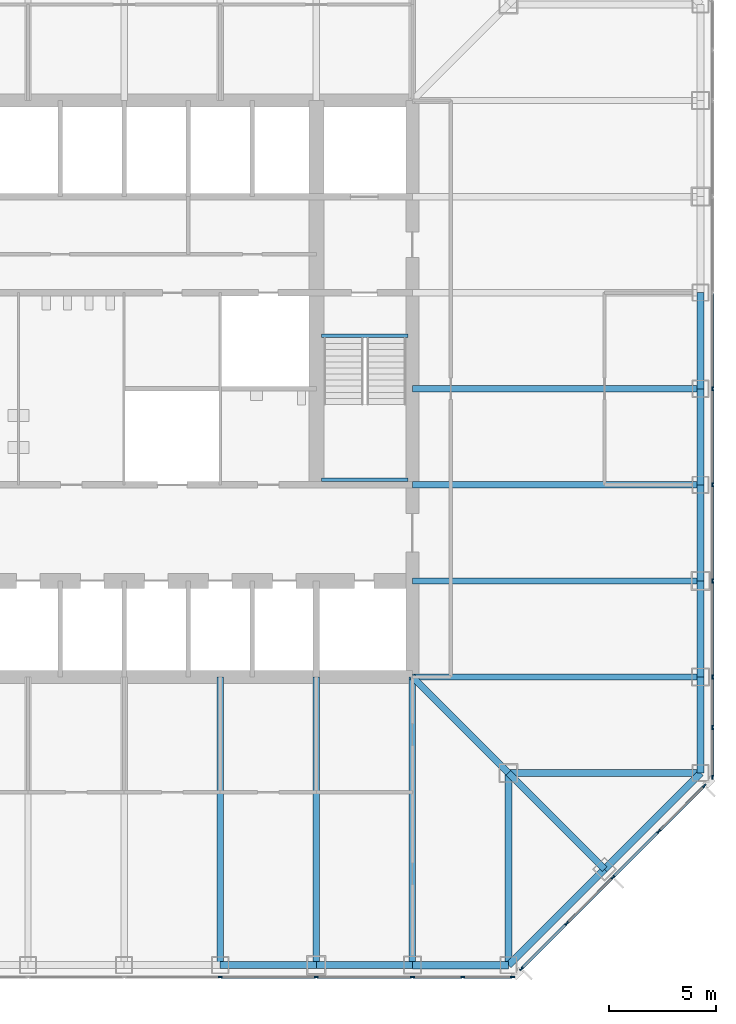
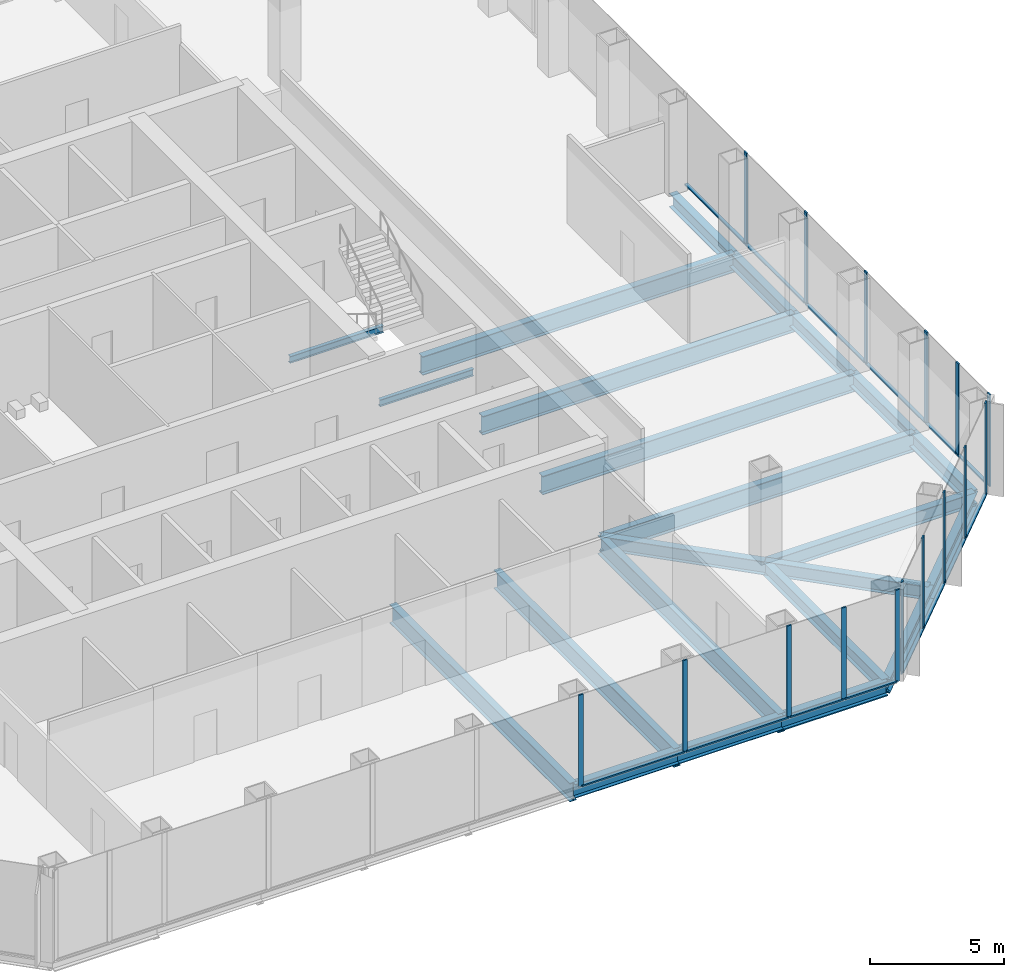
# One storey, part 4 of 12: 30 members, 23 beams, 3 elements without a shape of their own.
"""IFC4 building model written with IfcOpenShell, lengths in metres."""

from ifc_helpers import new_model, si_unit, direction, frame, origin, origin_2d, place, context, subcontext, project, spatial, rectangle, i_section, extrude, material, material_profile, profile_set, type_object, element, aggregate, save


model = new_model("IFC4")

# Units and contexts
model_context = context("Model", 3, precision=1e-05, world=origin(), true_north=direction((0.0, 1.0)))
body_context = subcontext(model_context, "Body", "Model", "MODEL_VIEW")
ifc_project = project(units=[si_unit("LENGTHUNIT", "METRE"), si_unit("AREAUNIT", "SQUARE_METRE"), si_unit("VOLUMEUNIT", "CUBIC_METRE"), si_unit("PLANEANGLEUNIT", "RADIAN"), si_unit("MASSUNIT", "GRAM", prefix="KILO")], contexts=[model_context])

# Site, building, storey
site_placement = place(None, origin())
site = spatial("IfcSite", under=ifc_project, at=site_placement, CompositionType="ELEMENT")
building_placement = place(site_placement, origin())
building = spatial("IfcBuilding", under=site, at=building_placement, Name="Corais Broadcast Tower", CompositionType="ELEMENT")
storey_placement = place(building_placement, frame((0.0, 0.0, 54.199951171875)))
storey = spatial("IfcBuildingStorey", under=building, at=storey_placement, Name="L11", CompositionType="ELEMENT", Elevation=54.199951171875)

# Beams
ifc_material_1 = material(Name="Steel ASTM A572 Grade 50", Category="steel")
ifc_material_profile_1 = material_profile(ifc_material_1, i_section(OverallWidth=0.323974609375, OverallDepth=0.611083984375, WebThickness=0.0126953125, FlangeThickness=0.01904296875, at=origin_2d()), Name="W610x155")
ifc_profile_set_1 = profile_set([ifc_material_profile_1], Name="Steel ASTM A572 Grade 50")
beam_type_1 = type_object("IfcBeamType", Name="Chamfer tie W610x155", PredefinedType="BEAM", material=ifc_profile_set_1)
beam_1_placement = place(storey_placement, frame((49.5, 4.5, -0.46533203125), z_axis=(-0.707106781187, 0.707106781187, 0.0), x_axis=(-0.707106781187, -0.707106781187, 0.0)))
element("IfcBeam", 1, at=beam_1_placement, inside=storey, type_object=beam_type_1, Name="B5 B/14 to C/13", PredefinedType="BEAM", context=body_context, shape_type="SweptSolid", body=[
    extrude(i_section(OverallWidth=0.323974609375, OverallDepth=0.611083984375, WebThickness=0.0126953125, FlangeThickness=0.01904296875, at=origin_2d()), origin(), (0.0, 0.0, 1.0), 6.364013671875),
])
ifc_material_2 = material(Name="Steel ASTM A572 Grade 50", Category="steel")
ifc_material_profile_2 = material_profile(ifc_material_2, i_section(OverallWidth=0.323974609375, OverallDepth=0.611083984375, WebThickness=0.0126953125, FlangeThickness=0.01904296875, at=origin_2d()), Name="W610x155")
ifc_profile_set_2 = profile_set([ifc_material_profile_2], Name="Steel ASTM A572 Grade 50")
beam_type_2 = type_object("IfcBeamType", Name="Corner diagonal W610x155", PredefinedType="BEAM", material=ifc_profile_set_2)
beam_2_placement = place(storey_placement, frame((45.0, 9.0, -0.46533203125), z_axis=(-0.707106781187, 0.707106781187, 0.0), x_axis=(-0.707106781187, -0.707106781187, 0.0)))
element("IfcBeam", 2, at=beam_2_placement, inside=storey, type_object=beam_type_2, Name="B6 C/13 to D/12", PredefinedType="BEAM", context=body_context, shape_type="SweptSolid", body=[
    extrude(i_section(OverallWidth=0.323974609375, OverallDepth=0.611083984375, WebThickness=0.0126953125, FlangeThickness=0.01904296875, at=origin_2d()), origin(), (0.0, 0.0, 1.0), 6.364013671875),
])
ifc_material_3 = material(Name="Steel ASTM A572 Grade 50", Category="steel")
ifc_material_profile_3 = material_profile(ifc_material_3, i_section(OverallWidth=0.323974609375, OverallDepth=0.611083984375, WebThickness=0.0126953125, FlangeThickness=0.01904296875, at=origin_2d()), Name="W610x155")
ifc_profile_set_3 = profile_set([ifc_material_profile_3], Name="Steel ASTM A572 Grade 50")
beam_type_3 = type_object("IfcBeamType", Name="Corner girder W610x155", PredefinedType="BEAM", material=ifc_profile_set_3)
for number, where, z_axis, x_axis, name in (
    (3, (45.0, 0.0, -0.46533203125), (0.0, 1.0, 0.0), (-1.0, 0.0, 0.0), "B4 A/13 to C/13"),
    (4, (54.0, 9.0, -0.46533203125), (-1.0, 0.0, 0.0), (0.0, -1.0, 0.0), "B4 C/15 to C/13"),
):
    element("IfcBeam", number, at=place(storey_placement, frame(where, z_axis=z_axis, x_axis=x_axis)), inside=storey, type_object=beam_type_3, Name=name, PredefinedType="BEAM", context=body_context, shape_type="SweptSolid", body=[
        extrude(i_section(OverallWidth=0.323974609375, OverallDepth=0.611083984375, WebThickness=0.0126953125, FlangeThickness=0.01904296875, at=origin_2d()), origin(), (0.0, 0.0, 1.0), 9.0),
    ])
ifc_material_4 = material(Name="Steel ASTM A572 Grade 50", Category="steel")
ifc_material_profile_4 = material_profile(ifc_material_4, i_section(OverallWidth=0.337890625, OverallDepth=0.677978515625, WebThickness=0.029541015625, FlangeThickness=0.052978515625, at=origin_2d()), Name="W610x415")
ifc_profile_set_4 = profile_set([ifc_material_profile_4], Name="Steel ASTM A572 Grade 50")
beam_type_4 = type_object("IfcBeamType", Name="Corner spandrel W610x415", PredefinedType="BEAM", material=ifc_profile_set_4)
for number, where, z_axis, x_axis, name in (
    (5, (40.5, 0.0, -0.4990234375), (1.0, 0.0, 0.0), (0.0, 1.0, 0.0), "SB10 A/12 to A/13"),
    (6, (54.0, 9.0, -0.4990234375), (0.0, 1.0, 0.0), (-1.0, 0.0, 0.0), "SB10 C/15 to D/15"),
):
    element("IfcBeam", number, at=place(storey_placement, frame(where, z_axis=z_axis, x_axis=x_axis)), inside=storey, type_object=beam_type_4, Name=name, PredefinedType="BEAM", context=body_context, shape_type="SweptSolid", body=[
        extrude(i_section(OverallWidth=0.337890625, OverallDepth=0.677978515625, WebThickness=0.029541015625, FlangeThickness=0.052978515625, at=origin_2d()), origin(), (0.0, 0.0, 1.0), 4.5),
    ])
ifc_material_5 = material(Name="Steel ASTM A572 Grade 50", Category="steel")
ifc_material_profile_5 = material_profile(ifc_material_5, i_section(OverallWidth=0.2939453125, OverallDepth=0.85107421875, WebThickness=0.01611328125, FlangeThickness=0.02685546875, at=origin_2d()), Name="W840x226")
ifc_profile_set_5 = profile_set([ifc_material_profile_5], Name="Steel ASTM A572 Grade 50")
beam_type_5 = type_object("IfcBeamType", Name="Floor beam W840x226", PredefinedType="BEAM", material=ifc_profile_set_5)
for number, where, z_axis, x_axis, name in (
    (7, (31.5, 0.0, -0.58544921875), (0.0, 1.0, 0.0), (-1.0, 0.0, 0.0), "B1 A/10 to D/10"),
    (8, (36.0, 0.0, -0.58544921875), (0.0, 1.0, 0.0), (-1.0, 0.0, 0.0), "B1 A/11 to D/11"),
    (9, (40.5, 0.0, -0.58544921875), (0.0, 1.0, 0.0), (-1.0, 0.0, 0.0), "B1 A/12 to D/12"),
    (10, (54.0, 13.5, -0.58544921875), (-1.0, 0.0, 0.0), (0.0, -1.0, 0.0), "B1 D/15 to D/12"),
    (11, (54.0, 18.0, -0.58544921875), (-1.0, 0.0, 0.0), (0.0, -1.0, 0.0), "B1 E/15 to E/12"),
    (12, (54.0, 22.5, -0.58544921875), (-1.0, 0.0, 0.0), (0.0, -1.0, 0.0), "B1 F/15 to F/12"),
    (13, (54.0, 27.0, -0.58544921875), (-1.0, 0.0, 0.0), (0.0, -1.0, 0.0), "B1 G/15 to G/12"),
):
    element("IfcBeam", number, at=place(storey_placement, frame(where, z_axis=z_axis, x_axis=x_axis)), inside=storey, type_object=beam_type_5, Name=name, PredefinedType="BEAM", context=body_context, shape_type="SweptSolid", body=[
        extrude(i_section(OverallWidth=0.2939453125, OverallDepth=0.85107421875, WebThickness=0.01611328125, FlangeThickness=0.02685546875, at=origin_2d()), origin(), (0.0, 0.0, 1.0), 13.5),
    ])
ifc_material_6 = material(Name="Steel ASTM A572 Grade 50", Category="steel")
ifc_material_profile_6 = material_profile(ifc_material_6, i_section(OverallWidth=0.1650390625, OverallDepth=0.31005859375, WebThickness=0.005859375, FlangeThickness=0.009765625, at=origin_2d()), Name="W310x38.7")
ifc_profile_set_6 = profile_set([ifc_material_profile_6], Name="Steel ASTM A572 Grade 50")
beam_type_6 = type_object("IfcBeamType", Name="Landing trimmer W310x38.7", PredefinedType="BEAM", material=ifc_profile_set_6)
for number, where, z_axis, x_axis, name in (
    (14, (36.25, 29.47509765625, -0.35498046875), (1.0, 0.0, 0.0), (0.0, 1.0, 0.0), "LT1 stair B landing trimmer L11"),
    (15, (36.25, 22.739990234375, 1.7451171875), (1.0, 0.0, 0.0), (0.0, 1.0, 0.0), "LT1 stair B half landing trimmer L11"),
):
    element("IfcBeam", number, at=place(storey_placement, frame(where, z_axis=z_axis, x_axis=x_axis)), inside=storey, type_object=beam_type_6, Name=name, PredefinedType="BEAM", context=body_context, shape_type="SweptSolid", body=[
        extrude(i_section(OverallWidth=0.1650390625, OverallDepth=0.31005859375, WebThickness=0.005859375, FlangeThickness=0.009765625, at=origin_2d()), origin(), (0.0, 0.0, 1.0), 4.050048828125),
    ])

# Curtain wall, members
ifc_material_7 = material(Name="Aluminium and glass", Category="aluminium")
curtain_wall_type = type_object("IfcCurtainWallType", Name="Unitised fritted curtain wall CW1", PredefinedType="NOTDEFINED", material=ifc_material_7)
curtain_wall_1_placement = place(storey_placement, origin())
curtain_wall_1 = element("IfcCurtainWall", 16, at=curtain_wall_1_placement, inside=storey, type_object=curtain_wall_type, Name="CW1 curtain wall L11 6", PredefinedType="NOTDEFINED")
ifc_material_8 = material(Name="Aluminium 6063-T6", Category="aluminium")
ifc_material_profile_7 = material_profile(ifc_material_8, rectangle(XDim=0.06494140625, YDim=0.199951171875, at=origin_2d()), Name="Mullion CW1 65x200")
ifc_profile_set_7 = profile_set([ifc_material_profile_7], Name="Aluminium 6063-T6")
member_type_1 = type_object("IfcMemberType", Name="Mullion CW1 65x200", PredefinedType="MULLION", material=ifc_profile_set_7)
member_1_placement = place(storey_placement, frame((54.550048828125, 27.0, 0.0), z_axis=(0.0, 0.0, 1.0), x_axis=(1.0, 0.0, 0.0)))
member_1 = element("IfcMember", 17, at=member_1_placement, type_object=member_type_1, Name="CW1 mullion 6", PredefinedType="MULLION", context=body_context, shape_type="SweptSolid", body=[
    extrude(rectangle(XDim=0.06494140625, YDim=0.199951171875, at=origin_2d()), origin(), (0.0, 0.0, 1.0), 4.199951171875),
])
member_2_placement = place(storey_placement, frame((54.550048828125, 22.5, 0.0), z_axis=(0.0, 0.0, 1.0), x_axis=(1.0, 0.0, 0.0)))
member_2 = element("IfcMember", 18, at=member_2_placement, type_object=member_type_1, Name="CW1 mullion 7", PredefinedType="MULLION", context=body_context, shape_type="SweptSolid", body=[
    extrude(rectangle(XDim=0.06494140625, YDim=0.199951171875, at=origin_2d()), origin(), (0.0, 0.0, 1.0), 4.199951171875),
])
member_3_placement = place(storey_placement, frame((54.550048828125, 18.0, 0.0), z_axis=(0.0, 0.0, 1.0), x_axis=(1.0, 0.0, 0.0)))
member_3 = element("IfcMember", 19, at=member_3_placement, type_object=member_type_1, Name="CW1 mullion 8", PredefinedType="MULLION", context=body_context, shape_type="SweptSolid", body=[
    extrude(rectangle(XDim=0.06494140625, YDim=0.199951171875, at=origin_2d()), origin(), (0.0, 0.0, 1.0), 4.199951171875),
])
member_4_placement = place(storey_placement, frame((54.550048828125, 13.5, 0.0), z_axis=(0.0, 0.0, 1.0), x_axis=(1.0, 0.0, 0.0)))
member_4 = element("IfcMember", 20, at=member_4_placement, type_object=member_type_1, Name="CW1 mullion 9", PredefinedType="MULLION", context=body_context, shape_type="SweptSolid", body=[
    extrude(rectangle(XDim=0.06494140625, YDim=0.199951171875, at=origin_2d()), origin(), (0.0, 0.0, 1.0), 4.199951171875),
])
member_5_placement = place(storey_placement, frame((54.550048828125, 11.135986328125, 0.0), z_axis=(0.0, 0.0, 1.0), x_axis=(1.0, 0.0, 0.0)))
member_5 = element("IfcMember", 21, at=member_5_placement, type_object=member_type_1, Name="CW1 mullion 10", PredefinedType="MULLION", context=body_context, shape_type="SweptSolid", body=[
    extrude(rectangle(XDim=0.06494140625, YDim=0.199951171875, at=origin_2d()), origin(), (0.0, 0.0, 1.0), 4.199951171875),
])
member_6_placement = place(storey_placement, frame((54.550048828125, 8.8046875, 0.0), z_axis=(0.0, 0.0, 1.0), x_axis=(1.0, 0.0, 0.0)))
member_6 = element("IfcMember", 22, at=member_6_placement, type_object=member_type_1, Name="CW1 mullion 11", PredefinedType="MULLION", context=body_context, shape_type="SweptSolid", body=[
    extrude(rectangle(XDim=0.06494140625, YDim=0.199951171875, at=origin_2d()), origin(), (0.0, 0.0, 1.0), 4.199951171875),
])

curtain_wall_2_placement = place(storey_placement, origin())
curtain_wall_2 = element("IfcCurtainWall", 23, at=curtain_wall_2_placement, inside=storey, type_object=curtain_wall_type, Name="CW1 curtain wall L11 7", PredefinedType="NOTDEFINED")
member_7_placement = place(storey_placement, frame((54.17333984375, 8.3955078125, 0.0), z_axis=(0.0, 0.0, 1.0), x_axis=(0.707106781187, -0.707106781187, 0.0)))
member_7 = element("IfcMember", 24, at=member_7_placement, type_object=member_type_1, Name="CW1 mullion 1", PredefinedType="MULLION", context=body_context, shape_type="SweptSolid", body=[
    extrude(rectangle(XDim=0.06494140625, YDim=0.199951171875, at=origin_2d()), origin(), (0.0, 0.0, 1.0), 4.199951171875),
])
member_8_placement = place(storey_placement, frame((52.042724609375, 6.264892578125, 0.0), z_axis=(0.0, 0.0, 1.0), x_axis=(0.707106781187, -0.707106781187, 0.0)))
member_8 = element("IfcMember", 25, at=member_8_placement, type_object=member_type_1, Name="CW1 mullion 2", PredefinedType="MULLION", context=body_context, shape_type="SweptSolid", body=[
    extrude(rectangle(XDim=0.06494140625, YDim=0.199951171875, at=origin_2d()), origin(), (0.0, 0.0, 1.0), 4.199951171875),
])
member_9_placement = place(storey_placement, frame((49.888916015625, 4.111083984375, 0.0), z_axis=(0.0, 0.0, 1.0), x_axis=(0.707106781187, -0.707106781187, 0.0)))
member_9 = element("IfcMember", 26, at=member_9_placement, type_object=member_type_1, Name="CW1 mullion 3", PredefinedType="MULLION", context=body_context, shape_type="SweptSolid", body=[
    extrude(rectangle(XDim=0.06494140625, YDim=0.199951171875, at=origin_2d()), origin(), (0.0, 0.0, 1.0), 4.199951171875),
])
member_10_placement = place(storey_placement, frame((47.735107421875, 1.957275390625, 0.0), z_axis=(0.0, 0.0, 1.0), x_axis=(0.707106781187, -0.707106781187, 0.0)))
member_10 = element("IfcMember", 27, at=member_10_placement, type_object=member_type_1, Name="CW1 mullion 4", PredefinedType="MULLION", context=body_context, shape_type="SweptSolid", body=[
    extrude(rectangle(XDim=0.06494140625, YDim=0.199951171875, at=origin_2d()), origin(), (0.0, 0.0, 1.0), 4.199951171875),
])
member_11_placement = place(storey_placement, frame((45.6044921875, -0.17333984375, 0.0), z_axis=(0.0, 0.0, 1.0), x_axis=(0.707106781187, -0.707106781187, 0.0)))
member_11 = element("IfcMember", 28, at=member_11_placement, type_object=member_type_1, Name="CW1 mullion 5", PredefinedType="MULLION", context=body_context, shape_type="SweptSolid", body=[
    extrude(rectangle(XDim=0.06494140625, YDim=0.199951171875, at=origin_2d()), origin(), (0.0, 0.0, 1.0), 4.199951171875),
])

curtain_wall_3_placement = place(storey_placement, origin())
curtain_wall_3 = element("IfcCurtainWall", 29, at=curtain_wall_3_placement, inside=storey, type_object=curtain_wall_type, Name="CW1 curtain wall L11 8", PredefinedType="NOTDEFINED")
member_12_placement = place(storey_placement, frame((45.1953125, -0.550048828125, 0.0), z_axis=(0.0, 0.0, 1.0), x_axis=(0.0, -1.0, 0.0)))
member_12 = element("IfcMember", 30, at=member_12_placement, type_object=member_type_1, Name="CW1 mullion 1", PredefinedType="MULLION", context=body_context, shape_type="SweptSolid", body=[
    extrude(rectangle(XDim=0.06494140625, YDim=0.199951171875, at=origin_2d()), origin(), (0.0, 0.0, 1.0), 4.199951171875),
])
member_13_placement = place(storey_placement, frame((42.864013671875, -0.550048828125, 0.0), z_axis=(0.0, 0.0, 1.0), x_axis=(0.0, -1.0, 0.0)))
member_13 = element("IfcMember", 31, at=member_13_placement, type_object=member_type_1, Name="CW1 mullion 2", PredefinedType="MULLION", context=body_context, shape_type="SweptSolid", body=[
    extrude(rectangle(XDim=0.06494140625, YDim=0.199951171875, at=origin_2d()), origin(), (0.0, 0.0, 1.0), 4.199951171875),
])
member_14_placement = place(storey_placement, frame((40.5, -0.550048828125, 0.0), z_axis=(0.0, 0.0, 1.0), x_axis=(0.0, -1.0, 0.0)))
member_14 = element("IfcMember", 32, at=member_14_placement, type_object=member_type_1, Name="CW1 mullion 3", PredefinedType="MULLION", context=body_context, shape_type="SweptSolid", body=[
    extrude(rectangle(XDim=0.06494140625, YDim=0.199951171875, at=origin_2d()), origin(), (0.0, 0.0, 1.0), 4.199951171875),
])
member_15_placement = place(storey_placement, frame((36.0, -0.550048828125, 0.0), z_axis=(0.0, 0.0, 1.0), x_axis=(0.0, -1.0, 0.0)))
member_15 = element("IfcMember", 33, at=member_15_placement, type_object=member_type_1, Name="CW1 mullion 4", PredefinedType="MULLION", context=body_context, shape_type="SweptSolid", body=[
    extrude(rectangle(XDim=0.06494140625, YDim=0.199951171875, at=origin_2d()), origin(), (0.0, 0.0, 1.0), 4.199951171875),
])
member_16_placement = place(storey_placement, frame((31.5, -0.550048828125, 0.0), z_axis=(0.0, 0.0, 1.0), x_axis=(0.0, -1.0, 0.0)))
member_16 = element("IfcMember", 34, at=member_16_placement, type_object=member_type_1, Name="CW1 mullion 5", PredefinedType="MULLION", context=body_context, shape_type="SweptSolid", body=[
    extrude(rectangle(XDim=0.06494140625, YDim=0.199951171875, at=origin_2d()), origin(), (0.0, 0.0, 1.0), 4.199951171875),
])

# Beams
ifc_material_9 = material(Name="Steel ASTM A572 Grade 50", Category="steel")
ifc_material_profile_8 = material_profile(ifc_material_9, i_section(OverallWidth=0.3291015625, OverallDepth=0.635009765625, WebThickness=0.017822265625, FlangeThickness=0.031005859375, at=origin_2d()), Name="W610x241")
ifc_profile_set_8 = profile_set([ifc_material_profile_8], Name="Steel ASTM A572 Grade 50")
beam_type_7 = type_object("IfcBeamType", Name="Spandrel W610x241", PredefinedType="BEAM", material=ifc_profile_set_8)
for number, where, z_axis, x_axis, name in (
    (35, (31.5, 0.0, -0.4775390625), (1.0, 0.0, 0.0), (0.0, 1.0, 0.0), "SB1 A/10 to A/11"),
    (36, (36.0, 0.0, -0.4775390625), (1.0, 0.0, 0.0), (0.0, 1.0, 0.0), "SB1 A/11 to A/12"),
):
    element("IfcBeam", number, at=place(storey_placement, frame(where, z_axis=z_axis, x_axis=x_axis)), inside=storey, type_object=beam_type_7, Name=name, PredefinedType="BEAM", context=body_context, shape_type="SweptSolid", body=[
        extrude(i_section(OverallWidth=0.3291015625, OverallDepth=0.635009765625, WebThickness=0.017822265625, FlangeThickness=0.031005859375, at=origin_2d()), origin(), (0.0, 0.0, 1.0), 4.5),
    ])
for number, where, z_axis, x_axis, name in (
    (37, (45.0, 0.0, -0.4775390625), (0.707106781187, 0.707106781187, 0.0), (-0.707106781187, 0.707106781187, 0.0), "SB1 A/13 to B/14"),
    (38, (49.5, 4.5, -0.4775390625), (0.707106781187, 0.707106781187, 0.0), (-0.707106781187, 0.707106781187, 0.0), "SB1 B/14 to C/15"),
):
    element("IfcBeam", number, at=place(storey_placement, frame(where, z_axis=z_axis, x_axis=x_axis)), inside=storey, type_object=beam_type_7, Name=name, PredefinedType="BEAM", context=body_context, shape_type="SweptSolid", body=[
        extrude(i_section(OverallWidth=0.3291015625, OverallDepth=0.635009765625, WebThickness=0.017822265625, FlangeThickness=0.031005859375, at=origin_2d()), origin(), (0.0, 0.0, 1.0), 6.364013671875),
    ])
for number, where, z_axis, x_axis, name in (
    (39, (54.0, 13.5, -0.4775390625), (0.0, 1.0, 0.0), (-1.0, 0.0, 0.0), "SB1 D/15 to E/15"),
    (40, (54.0, 18.0, -0.4775390625), (0.0, 1.0, 0.0), (-1.0, 0.0, 0.0), "SB1 E/15 to F/15"),
    (41, (54.0, 22.5, -0.4775390625), (0.0, 1.0, 0.0), (-1.0, 0.0, 0.0), "SB1 F/15 to G/15"),
    (42, (54.0, 27.0, -0.4775390625), (0.0, 1.0, 0.0), (-1.0, 0.0, 0.0), "SB1 G/15 to H/15"),
):
    element("IfcBeam", number, at=place(storey_placement, frame(where, z_axis=z_axis, x_axis=x_axis)), inside=storey, type_object=beam_type_7, Name=name, PredefinedType="BEAM", context=body_context, shape_type="SweptSolid", body=[
        extrude(i_section(OverallWidth=0.3291015625, OverallDepth=0.635009765625, WebThickness=0.017822265625, FlangeThickness=0.031005859375, at=origin_2d()), origin(), (0.0, 0.0, 1.0), 4.5),
    ])

# Member
ifc_material_10 = material(Name="Aluminium 6063-T6", Category="aluminium")
ifc_material_profile_9 = material_profile(ifc_material_10, rectangle(XDim=0.139892578125, YDim=0.06494140625, at=origin_2d()), Name="Transom CW1 65x140")
ifc_profile_set_9 = profile_set([ifc_material_profile_9], Name="Aluminium 6063-T6")
member_type_2 = type_object("IfcMemberType", Name="Transom CW1 65x140", PredefinedType="USERDEFINED", material=ifc_profile_set_9)
member_17_placement = place(storey_placement, frame((54.550048828125, 31.467529296875, 0.032470703125), z_axis=(0.0, -1.0, 0.0), x_axis=(1.0, 0.0, 0.0)))
member_17 = element("IfcMember", 43, at=member_17_placement, type_object=member_type_2, Name="CW1 transom 5.1", ObjectType="TRANSOM", PredefinedType="USERDEFINED", context=body_context, shape_type="SweptSolid", body=[
    extrude(rectangle(XDim=0.139892578125, YDim=0.06494140625, at=origin_2d()), origin(), (0.0, 0.0, 1.0), 4.43505859375),
])

member_18_placement = place(storey_placement, frame((54.550048828125, 26.967529296875, 0.032470703125), z_axis=(0.0, -1.0, 0.0), x_axis=(1.0, 0.0, 0.0)))
member_18 = element("IfcMember", 44, at=member_18_placement, type_object=member_type_2, Name="CW1 transom 6.1", ObjectType="TRANSOM", PredefinedType="USERDEFINED", context=body_context, shape_type="SweptSolid", body=[
    extrude(rectangle(XDim=0.139892578125, YDim=0.06494140625, at=origin_2d()), origin(), (0.0, 0.0, 1.0), 4.43505859375),
])

member_19_placement = place(storey_placement, frame((54.550048828125, 22.467529296875, 0.032470703125), z_axis=(0.0, -1.0, 0.0), x_axis=(1.0, 0.0, 0.0)))
member_19 = element("IfcMember", 45, at=member_19_placement, type_object=member_type_2, Name="CW1 transom 7.1", ObjectType="TRANSOM", PredefinedType="USERDEFINED", context=body_context, shape_type="SweptSolid", body=[
    extrude(rectangle(XDim=0.139892578125, YDim=0.06494140625, at=origin_2d()), origin(), (0.0, 0.0, 1.0), 4.43505859375),
])

member_20_placement = place(storey_placement, frame((54.550048828125, 17.967529296875, 0.032470703125), z_axis=(0.0, -1.0, 0.0), x_axis=(1.0, 0.0, 0.0)))
member_20 = element("IfcMember", 46, at=member_20_placement, type_object=member_type_2, Name="CW1 transom 8.1", ObjectType="TRANSOM", PredefinedType="USERDEFINED", context=body_context, shape_type="SweptSolid", body=[
    extrude(rectangle(XDim=0.139892578125, YDim=0.06494140625, at=origin_2d()), origin(), (0.0, 0.0, 1.0), 4.43505859375),
])

member_21_placement = place(storey_placement, frame((54.550048828125, 13.467529296875, 0.032470703125), z_axis=(0.0, -1.0, 0.0), x_axis=(1.0, 0.0, 0.0)))
member_21 = element("IfcMember", 47, at=member_21_placement, type_object=member_type_2, Name="CW1 transom 9.1", ObjectType="TRANSOM", PredefinedType="USERDEFINED", context=body_context, shape_type="SweptSolid", body=[
    extrude(rectangle(XDim=0.139892578125, YDim=0.06494140625, at=origin_2d()), origin(), (0.0, 0.0, 1.0), 2.298828125),
])

member_22_placement = place(storey_placement, frame((54.550048828125, 11.103515625, 0.032470703125), z_axis=(0.0, -1.0, 0.0), x_axis=(1.0, 0.0, 0.0)))
member_22 = element("IfcMember", 48, at=member_22_placement, type_object=member_type_2, Name="CW1 transom 10.1", ObjectType="TRANSOM", PredefinedType="USERDEFINED", context=body_context, shape_type="SweptSolid", body=[
    extrude(rectangle(XDim=0.139892578125, YDim=0.06494140625, at=origin_2d()), origin(), (0.0, 0.0, 1.0), 2.266357421875),
])

aggregate(curtain_wall_1, [member_1, member_2, member_3, member_4, member_5, member_6, member_17, member_18, member_19, member_20, member_21, member_22])

member_23_placement = place(storey_placement, frame((54.150390625, 8.37255859375, 0.032470703125), z_axis=(-0.707106781187, -0.707106781187, 0.0), x_axis=(0.707106781187, -0.707106781187, 0.0)))
member_23 = element("IfcMember", 49, at=member_23_placement, type_object=member_type_2, Name="CW1 transom 1.1", ObjectType="TRANSOM", PredefinedType="USERDEFINED", context=body_context, shape_type="SweptSolid", body=[
    extrude(rectangle(XDim=0.139892578125, YDim=0.06494140625, at=origin_2d()), origin(), (0.0, 0.0, 1.0), 2.9482421875),
])

member_24_placement = place(storey_placement, frame((52.019775390625, 6.241943359375, 0.032470703125), z_axis=(-0.707106781187, -0.707106781187, 0.0), x_axis=(0.707106781187, -0.707106781187, 0.0)))
member_24 = element("IfcMember", 50, at=member_24_placement, type_object=member_type_2, Name="CW1 transom 2.1", ObjectType="TRANSOM", PredefinedType="USERDEFINED", context=body_context, shape_type="SweptSolid", body=[
    extrude(rectangle(XDim=0.139892578125, YDim=0.06494140625, at=origin_2d()), origin(), (0.0, 0.0, 1.0), 2.98095703125),
])

member_25_placement = place(storey_placement, frame((49.865966796875, 4.088134765625, 0.032470703125), z_axis=(-0.707106781187, -0.707106781187, 0.0), x_axis=(0.707106781187, -0.707106781187, 0.0)))
member_25 = element("IfcMember", 51, at=member_25_placement, type_object=member_type_2, Name="CW1 transom 3.1", ObjectType="TRANSOM", PredefinedType="USERDEFINED", context=body_context, shape_type="SweptSolid", body=[
    extrude(rectangle(XDim=0.139892578125, YDim=0.06494140625, at=origin_2d()), origin(), (0.0, 0.0, 1.0), 2.98095703125),
])

member_26_placement = place(storey_placement, frame((47.712158203125, 1.934326171875, 0.032470703125), z_axis=(-0.707106781187, -0.707106781187, 0.0), x_axis=(0.707106781187, -0.707106781187, 0.0)))
member_26 = element("IfcMember", 52, at=member_26_placement, type_object=member_type_2, Name="CW1 transom 4.1", ObjectType="TRANSOM", PredefinedType="USERDEFINED", context=body_context, shape_type="SweptSolid", body=[
    extrude(rectangle(XDim=0.139892578125, YDim=0.06494140625, at=origin_2d()), origin(), (0.0, 0.0, 1.0), 2.9482421875),
])

aggregate(curtain_wall_2, [member_7, member_8, member_9, member_10, member_11, member_23, member_24, member_25, member_26])

member_27_placement = place(storey_placement, frame((45.162841796875, -0.550048828125, 0.032470703125), z_axis=(-1.0, 0.0, 0.0), x_axis=(0.0, -1.0, 0.0)))
member_27 = element("IfcMember", 53, at=member_27_placement, type_object=member_type_2, Name="CW1 transom 1.1", ObjectType="TRANSOM", PredefinedType="USERDEFINED", context=body_context, shape_type="SweptSolid", body=[
    extrude(rectangle(XDim=0.139892578125, YDim=0.06494140625, at=origin_2d()), origin(), (0.0, 0.0, 1.0), 2.266357421875),
])

member_28_placement = place(storey_placement, frame((42.831298828125, -0.550048828125, 0.032470703125), z_axis=(-1.0, 0.0, 0.0), x_axis=(0.0, -1.0, 0.0)))
member_28 = element("IfcMember", 54, at=member_28_placement, type_object=member_type_2, Name="CW1 transom 2.1", ObjectType="TRANSOM", PredefinedType="USERDEFINED", context=body_context, shape_type="SweptSolid", body=[
    extrude(rectangle(XDim=0.139892578125, YDim=0.06494140625, at=origin_2d()), origin(), (0.0, 0.0, 1.0), 2.298828125),
])

member_29_placement = place(storey_placement, frame((40.467529296875, -0.550048828125, 0.032470703125), z_axis=(-1.0, 0.0, 0.0), x_axis=(0.0, -1.0, 0.0)))
member_29 = element("IfcMember", 55, at=member_29_placement, type_object=member_type_2, Name="CW1 transom 3.1", ObjectType="TRANSOM", PredefinedType="USERDEFINED", context=body_context, shape_type="SweptSolid", body=[
    extrude(rectangle(XDim=0.139892578125, YDim=0.06494140625, at=origin_2d()), origin(), (0.0, 0.0, 1.0), 4.43505859375),
])

member_30_placement = place(storey_placement, frame((35.967529296875, -0.550048828125, 0.032470703125), z_axis=(-1.0, 0.0, 0.0), x_axis=(0.0, -1.0, 0.0)))
member_30 = element("IfcMember", 56, at=member_30_placement, type_object=member_type_2, Name="CW1 transom 4.1", ObjectType="TRANSOM", PredefinedType="USERDEFINED", context=body_context, shape_type="SweptSolid", body=[
    extrude(rectangle(XDim=0.139892578125, YDim=0.06494140625, at=origin_2d()), origin(), (0.0, 0.0, 1.0), 4.43505859375),
])

aggregate(curtain_wall_3, [member_12, member_13, member_14, member_15, member_16, member_27, member_28, member_29, member_30])

save(model, "model.ifc")
